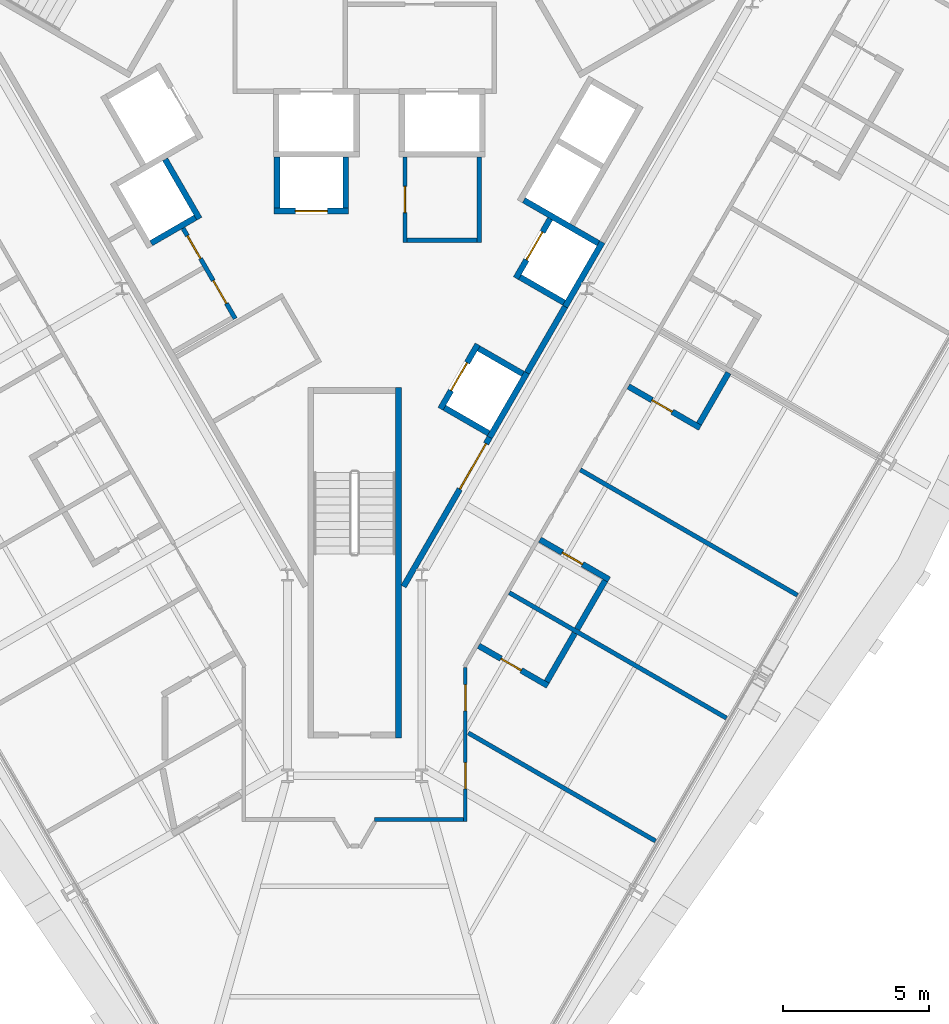
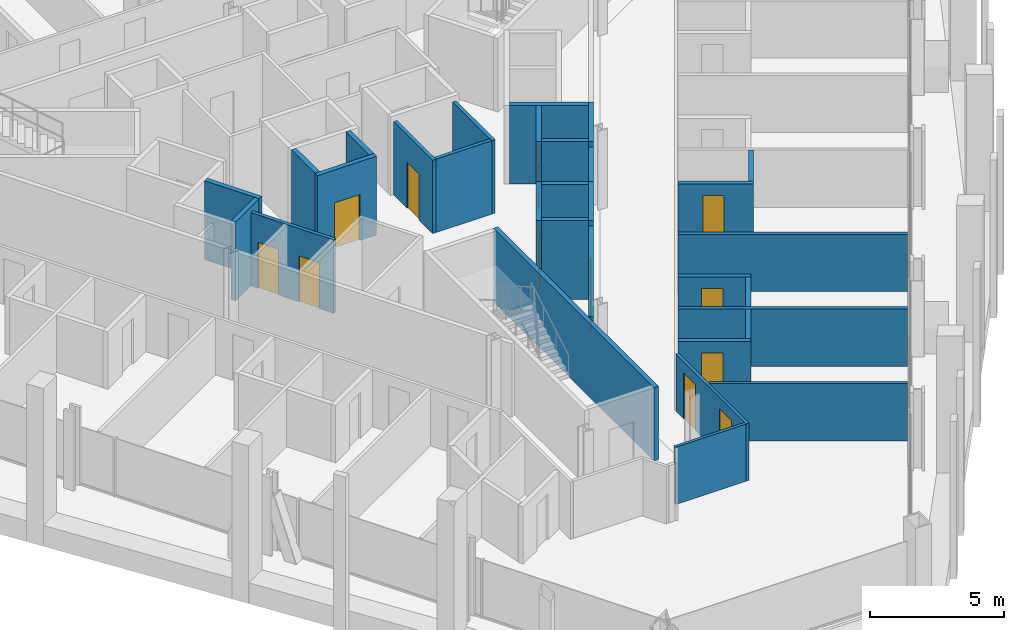
# One storey, part 12 of 19: 31 walls, 12 doors, 12 openings.
"""IFC4 building model written with IfcOpenShell, lengths in metres."""

from ifc_helpers import new_model, si_unit, direction, frame, frame_2d, origin, place, context, subcontext, project, spatial, rectangle, extrude, material, layer, layer_set, type_object, element, fill, save


model = new_model("IFC4")

# Units and contexts
model_context = context("Model", 3, precision=1e-05, world=origin(), true_north=direction((0.0, 1.0)))
body_context = subcontext(model_context, "Body", "Model", "MODEL_VIEW")
ifc_project = project(units=[si_unit("LENGTHUNIT", "METRE"), si_unit("AREAUNIT", "SQUARE_METRE"), si_unit("VOLUMEUNIT", "CUBIC_METRE"), si_unit("PLANEANGLEUNIT", "RADIAN"), si_unit("MASSUNIT", "GRAM", prefix="KILO")], contexts=[model_context])

# Site, building, storey
site_placement = place(None, origin())
site = spatial("IfcSite", under=ifc_project, at=site_placement, CompositionType="ELEMENT")
building_placement = place(site_placement, origin())
building = spatial("IfcBuilding", under=site, at=building_placement, Name="Verrane Prism Tower", CompositionType="ELEMENT")
storey_placement = place(building_placement, frame((0.0, 0.0, 58.39990234375)))
storey = spatial("IfcBuildingStorey", under=building, at=storey_placement, Name="L12", CompositionType="ELEMENT", Elevation=58.39990234375)

# Wall, opening, door
ifc_material_1 = material(Name="Gypsum board partition", Category="other")
ifc_layer_1 = layer(ifc_material_1, 0.199951171875)
ifc_layer_set_1 = layer_set([ifc_layer_1], Name="CW-200 core boundary wall 2 h")
wall_type_1 = type_object("IfcWallType", Name="CW-200 core boundary wall 2 h", PredefinedType="PARTITIONING", material=ifc_layer_set_1)
wall_1_placement = place(storey_placement, frame((1.677490234375, -14.814697265625, 0.0), z_axis=(0.0, 0.0, 1.0), x_axis=(0.49999445743, 0.866028603765, 0.0)))
wall_1 = element("IfcWall", 1, at=wall_1_placement, inside=storey, type_object=wall_type_1, Name="Core boundary wall CW3-003", PredefinedType="PARTITIONING", context=body_context, shape_type="SweptSolid", body=[
    extrude(rectangle(XDim=5.90478515625, YDim=0.199951171875, at=frame_2d((2.952392578125, 0.0))), origin(), (0.0, 0.0, 1.0), 3.35009765625),
])
opening_1_placement = place(wall_1_placement, frame((3.85498046875, 0.0, 0.0)))
opening_1 = element("IfcOpeningElement", 2, at=opening_1_placement, cuts=wall_1, Name="Opening D12517", PredefinedType="OPENING", context=body_context, shape_type="SweptSolid", body=[
    extrude(rectangle(XDim=1.800048828125, YDim=2.10009765625, at=frame_2d((0.89990234375, 1.050048828125))), frame((0.0, 0.10986328125, 0.0), z_axis=(0.0, -1.0, 0.0), x_axis=(1.0, 0.0, 0.0)), (0.0, 0.0, 1.0), 0.219970703125),
])
ifc_material_2 = material(Name="Timber veneered door leaf", Category="wood")
door_type_1 = type_object("IfcDoorType", Name="DR-1800x2100 FD60 double leaf lift lobby", OperationType="NOTDEFINED", PredefinedType="DOOR", material=ifc_material_2)
door_1_placement = place(opening_1_placement, origin())
door_1 = element("IfcDoor", 3, at=door_1_placement, inside=storey, type_object=door_type_1, Name="Lift lobby door D12517", OperationType="DOUBLE_DOOR_SINGLE_SWING", OverallHeight=2.10009765625, OverallWidth=1.800048828125, PredefinedType="DOOR", context=body_context, shape_type="SweptSolid", body=[
    extrude(rectangle(XDim=1.800048828125, YDim=2.10009765625, at=frame_2d((0.89990234375, 1.050048828125))), frame((0.0, 0.02490234375, 0.0), z_axis=(0.0, -1.0, 0.0), x_axis=(1.0, 0.0, 0.0)), (0.0, 0.0, 1.0), 0.050048828125),
])
fill(opening_1, door_1)

# Walls
wall_2_placement = place(storey_placement, frame((5.906005859375, -7.489990234375, 0.0), z_axis=(0.0, 0.0, 1.0), x_axis=(0.500252727967, 0.865879442048, 0.0)))
element("IfcWall", 4, at=wall_2_placement, inside=storey, type_object=wall_type_1, Name="Core boundary wall CW3-005", PredefinedType="PARTITIONING", context=body_context, shape_type="SweptSolid", body=[
    extrude(rectangle(XDim=2.616943359375, YDim=0.199951171875, at=frame_2d((1.30859375, 0.0))), origin(), (0.0, 0.0, 1.0), 3.35009765625),
])
ifc_material_3 = material(Name="Concrete C40/50", Category="concrete")
ifc_layer_2 = layer(ifc_material_3, 0.199951171875)
ifc_layer_set_2 = layer_set([ifc_layer_2], Name="CW-200 stair core wall concrete C40/50 3 h")
wall_type_2 = type_object("IfcWallType", Name="CW-200 stair core wall concrete C40/50 3 h", PredefinedType="PARTITIONING", material=ifc_layer_set_2)
wall_3_placement = place(storey_placement, frame((1.5, -8.0, 0.0), z_axis=(0.0, 0.0, 1.0), x_axis=(0.0, -1.0, 0.0)))
element("IfcWall", 5, at=wall_3_placement, inside=storey, type_object=wall_type_2, Name="Stair 3 enclosure wall", PredefinedType="PARTITIONING", context=body_context, shape_type="SweptSolid", body=[
    extrude(rectangle(XDim=12.0, YDim=0.199951171875, at=frame_2d((6.0, 0.0))), origin(), (0.0, 0.0, 1.0), 3.35009765625),
])

# Wall, opening, door
ifc_material_4 = material(Name="Gypsum board shaft wall assembly", Category="other")
ifc_layer_3 = layer(ifc_material_4, 0.199951171875)
ifc_layer_set_3 = layer_set([ifc_layer_3], Name="HW-200 lift shaft wall 2 h")
wall_type_3 = type_object("IfcWallType", Name="HW-200 lift shaft wall 2 h", PredefinedType="PARTITIONING", material=ifc_layer_set_3)
wall_4_placement = place(storey_placement, frame((-2.7548828125, -1.949951171875, 0.0), z_axis=(0.0, 0.0, 1.0), x_axis=(1.0, 0.0, 0.0)))
wall_4 = element("IfcWall", 6, at=wall_4_placement, inside=storey, type_object=wall_type_3, Name="Lift shaft wall", PredefinedType="PARTITIONING", context=body_context, shape_type="SweptSolid", body=[
    extrude(rectangle(XDim=2.5498046875, YDim=0.199951171875, at=frame_2d((1.27490234375, 0.0))), origin(), (0.0, 0.0, 1.0), 3.60009765625),
])
opening_2_placement = place(wall_4_placement, frame((0.72509765625, 0.0, 0.0)))
opening_2 = element("IfcOpeningElement", 7, at=opening_2_placement, cuts=wall_4, Name="Opening D12504", PredefinedType="OPENING", context=body_context, shape_type="SweptSolid", body=[
    extrude(rectangle(XDim=1.10009765625, YDim=2.10009765625, at=frame_2d((0.550048828125, 1.050048828125))), frame((0.0, 0.10986328125, 0.0), z_axis=(0.0, -1.0, 0.0), x_axis=(1.0, 0.0, 0.0)), (0.0, 0.0, 1.0), 0.219970703125),
])
ifc_material_5 = material(Name="Stainless steel sliding landing door", Category="steel")
door_type_2 = type_object("IfcDoorType", Name="LD-1100x2100 lift landing door FD90 sliding", OperationType="NOTDEFINED", PredefinedType="DOOR", material=ifc_material_5)
door_2_placement = place(opening_2_placement, origin())
door_2 = element("IfcDoor", 8, at=door_2_placement, inside=storey, type_object=door_type_2, Name="Bank A lift 2 landing door", OperationType="SLIDING_TO_RIGHT", OverallHeight=2.10009765625, OverallWidth=1.10009765625, PredefinedType="DOOR", context=body_context, shape_type="SweptSolid", body=[
    extrude(rectangle(XDim=1.10009765625, YDim=2.10009765625, at=frame_2d((0.550048828125, 1.050048828125))), frame((0.0, 0.02490234375, 0.0), z_axis=(0.0, -1.0, 0.0), x_axis=(1.0, 0.0, 0.0)), (0.0, 0.0, 1.0), 0.050048828125),
])
fill(opening_2, door_2)

# Walls
wall_5_placement = place(storey_placement, frame((-6.9697265625, -3.048095703125, 0.0), z_axis=(0.0, 0.0, 1.0), x_axis=(0.866036909293, 0.499980071345, 0.0)))
element("IfcWall", 9, at=wall_5_placement, inside=storey, type_object=wall_type_3, Name="Lift shaft wall", PredefinedType="PARTITIONING", context=body_context, shape_type="SweptSolid", body=[
    extrude(rectangle(XDim=1.75, YDim=0.199951171875, at=frame_2d((0.875, 0.0))), origin(), (0.0, 0.0, 1.0), 3.60009765625),
])
wall_6_placement = place(storey_placement, frame((4.63037109375, -9.69970703125, 0.0), z_axis=(0.0, 0.0, 1.0), x_axis=(0.500062241894, 0.865989465428, 0.0)))
element("IfcWall", 10, at=wall_6_placement, inside=storey, type_object=wall_type_3, Name="Lift shaft wall", PredefinedType="PARTITIONING", context=body_context, shape_type="SweptSolid", body=[
    extrude(rectangle(XDim=2.550048828125, YDim=0.199951171875, at=frame_2d((1.27490234375, 0.0))), origin(), (0.0, 0.0, 1.0), 3.60009765625),
])
wall_7_placement = place(storey_placement, frame((7.215576171875, -5.222412109375, 0.0), z_axis=(0.0, 0.0, 1.0), x_axis=(0.499990435942, 0.866030925526, 0.0)))
element("IfcWall", 11, at=wall_7_placement, inside=storey, type_object=wall_type_3, Name="Lift shaft wall", PredefinedType="PARTITIONING", context=body_context, shape_type="SweptSolid", body=[
    extrude(rectangle(XDim=2.5498046875, YDim=0.199951171875, at=frame_2d((1.27490234375, 0.0))), origin(), (0.0, 0.0, 1.0), 3.60009765625),
])

# Wall, opening, door
wall_8_placement = place(storey_placement, frame((2.941650390625, -8.724853515625, 0.0), z_axis=(0.0, 0.0, 1.0), x_axis=(0.500020783669, 0.866013403995, 0.0)))
wall_8 = element("IfcWall", 12, at=wall_8_placement, inside=storey, type_object=wall_type_3, Name="Lift shaft wall", PredefinedType="PARTITIONING", context=body_context, shape_type="SweptSolid", body=[
    extrude(rectangle(XDim=2.55029296875, YDim=0.199951171875, at=frame_2d((1.275146484375, 0.0))), origin(), (0.0, 0.0, 1.0), 3.60009765625),
])
opening_3_placement = place(wall_8_placement, frame((0.72509765625, 0.0, 0.0)))
opening_3 = element("IfcOpeningElement", 13, at=opening_3_placement, cuts=wall_8, Name="Opening D12506", PredefinedType="OPENING", context=body_context, shape_type="SweptSolid", body=[
    extrude(rectangle(XDim=1.10009765625, YDim=2.10009765625, at=frame_2d((0.550048828125, 1.050048828125))), frame((0.0, 0.10986328125, 0.0), z_axis=(0.0, -1.0, 0.0), x_axis=(1.0, 0.0, 0.0)), (0.0, 0.0, 1.0), 0.219970703125),
])
door_3_placement = place(opening_3_placement, origin())
door_3 = element("IfcDoor", 14, at=door_3_placement, inside=storey, type_object=door_type_2, Name="Bank A lift 4 landing door", OperationType="SLIDING_TO_RIGHT", OverallHeight=2.10009765625, OverallWidth=1.10009765625, PredefinedType="DOOR", context=body_context, shape_type="SweptSolid", body=[
    extrude(rectangle(XDim=1.10009765625, YDim=2.10009765625, at=frame_2d((0.550048828125, 1.050048828125))), frame((0.0, 0.02490234375, 0.0), z_axis=(0.0, -1.0, 0.0), x_axis=(1.0, 0.0, 0.0)), (0.0, 0.0, 1.0), 0.050048828125),
])
fill(opening_3, door_3)

wall_9_placement = place(storey_placement, frame((5.52685546875, -4.247314453125, 0.0), z_axis=(0.0, 0.0, 1.0), x_axis=(0.499938297808, 0.866061024631, 0.0)))
wall_9 = element("IfcWall", 15, at=wall_9_placement, inside=storey, type_object=wall_type_3, Name="Lift shaft wall", PredefinedType="PARTITIONING", context=body_context, shape_type="SweptSolid", body=[
    extrude(rectangle(XDim=2.349853515625, YDim=0.199951171875, at=frame_2d((1.1748046875, 0.0))), origin(), (0.0, 0.0, 1.0), 3.60009765625),
])
opening_4_placement = place(wall_9_placement, frame((0.72509765625, 0.0, 0.0)))
opening_4 = element("IfcOpeningElement", 16, at=opening_4_placement, cuts=wall_9, Name="Opening D12507", PredefinedType="OPENING", context=body_context, shape_type="SweptSolid", body=[
    extrude(rectangle(XDim=1.10009765625, YDim=2.10009765625, at=frame_2d((0.550048828125, 1.050048828125))), frame((0.0, 0.10986328125, 0.0), z_axis=(0.0, -1.0, 0.0), x_axis=(1.0, 0.0, 0.0)), (0.0, 0.0, 1.0), 0.219970703125),
])
door_4_placement = place(opening_4_placement, origin())
door_4 = element("IfcDoor", 17, at=door_4_placement, inside=storey, type_object=door_type_2, Name="Bank A lift 5 landing door", OperationType="SLIDING_TO_LEFT", OverallHeight=2.10009765625, OverallWidth=1.10009765625, PredefinedType="DOOR", context=body_context, shape_type="SweptSolid", body=[
    extrude(rectangle(XDim=1.10009765625, YDim=2.10009765625, at=frame_2d((0.550048828125, 1.050048828125))), frame((0.0, 0.02490234375, 0.0), z_axis=(0.0, -1.0, 0.0), x_axis=(1.0, 0.0, 0.0)), (0.0, 0.0, 1.0), 0.050048828125),
])
fill(opening_4, door_4)

# Walls
for number, where, z_axis, x_axis, name in (
    (18, (-0.304931640625, -1.85009765625, 0.0), (0.0, 0.0, 1.0), (0.0, 1.0, 0.0), "Lift shaft wall"),
    (19, (-2.655029296875, -1.85009765625, 0.0), (0.0, 0.0, 1.0), (0.0, 1.0, 0.0), "Lift shaft wall"),
):
    element("IfcWall", number, at=place(storey_placement, frame(where, z_axis=z_axis, x_axis=x_axis)), inside=storey, type_object=wall_type_3, Name=name, PredefinedType="PARTITIONING", context=body_context, shape_type="SweptSolid", body=[
        extrude(rectangle(XDim=1.75, YDim=0.199951171875, at=frame_2d((0.875, 0.0))), origin(), (0.0, 0.0, 1.0), 3.60009765625),
    ])
wall_10_placement = place(storey_placement, frame((-5.317626953125, -2.209716796875, 0.0), z_axis=(0.0, 0.0, 1.0), x_axis=(-0.499938297808, 0.866061024631, 0.0)))
element("IfcWall", 20, at=wall_10_placement, inside=storey, type_object=wall_type_3, Name="Lift shaft wall", PredefinedType="PARTITIONING", context=body_context, shape_type="SweptSolid", body=[
    extrude(rectangle(XDim=2.349853515625, YDim=0.199951171875, at=frame_2d((1.1748046875, 0.0))), origin(), (0.0, 0.0, 1.0), 3.60009765625),
])
wall_11_placement = place(storey_placement, frame((8.35400390625, -3.050537109375, 0.0), z_axis=(0.0, 0.0, 1.0), x_axis=(-0.866060182126, 0.499939757307, 0.0)))
element("IfcWall", 21, at=wall_11_placement, inside=storey, type_object=wall_type_3, Name="Lift shaft wall", PredefinedType="PARTITIONING", context=body_context, shape_type="SweptSolid", body=[
    extrude(rectangle(XDim=2.949951171875, YDim=0.199951171875, at=frame_2d((1.47509765625, 0.0))), origin(), (0.0, 0.0, 1.0), 3.60009765625),
])
wall_12_placement = place(storey_placement, frame((7.178955078125, -5.085693359375, 0.0), z_axis=(0.0, 0.0, 1.0), x_axis=(-0.866036909293, 0.499980071345, 0.0)))
element("IfcWall", 22, at=wall_12_placement, inside=storey, type_object=wall_type_3, Name="Lift shaft wall", PredefinedType="PARTITIONING", context=body_context, shape_type="SweptSolid", body=[
    extrude(rectangle(XDim=1.75, YDim=0.199951171875, at=frame_2d((0.875, 0.0))), origin(), (0.0, 0.0, 1.0), 3.60009765625),
])
wall_13_placement = place(storey_placement, frame((5.768798828125, -7.528076171875, 0.0), z_axis=(0.0, 0.0, 1.0), x_axis=(-0.866002029911, 0.500040482552, 0.0)))
element("IfcWall", 23, at=wall_13_placement, inside=storey, type_object=wall_type_3, Name="Lift shaft wall", PredefinedType="PARTITIONING", context=body_context, shape_type="SweptSolid", body=[
    extrude(rectangle(XDim=1.749755859375, YDim=0.199951171875, at=frame_2d((0.875, 0.0))), origin(), (0.0, 0.0, 1.0), 3.60009765625),
])
wall_14_placement = place(storey_placement, frame((4.593994140625, -9.563232421875, 0.0), z_axis=(0.0, 0.0, 1.0), x_axis=(-0.866036909293, 0.499980071345, 0.0)))
element("IfcWall", 24, at=wall_14_placement, inside=storey, type_object=wall_type_3, Name="Lift shaft wall", PredefinedType="PARTITIONING", context=body_context, shape_type="SweptSolid", body=[
    extrude(rectangle(XDim=1.75, YDim=0.199951171875, at=frame_2d((0.875, 0.0))), origin(), (0.0, 0.0, 1.0), 3.60009765625),
])
ifc_material_6 = material(Name="Gypsum board partition", Category="other")
ifc_layer_4 = layer(ifc_material_6, 0.125)
ifc_layer_set_4 = layer_set([ifc_layer_4], Name="PW-125 corridor wall 1 h")
wall_type_4 = type_object("IfcWallType", Name="PW-125 corridor wall 1 h", PredefinedType="PARTITIONING", material=ifc_layer_set_4)
wall_15_placement = place(storey_placement, frame((0.679443359375, -22.797119140625, 0.0), z_axis=(0.0, 0.0, 1.0), x_axis=(1.0, 0.0, 0.0)))
element("IfcWall", 25, at=wall_15_placement, inside=storey, type_object=wall_type_4, Name="Corridor wall 048", PredefinedType="PARTITIONING", context=body_context, shape_type="SweptSolid", body=[
    extrude(rectangle(XDim=3.052490234375, YDim=0.125, at=frame_2d((1.5263671875, 0.0))), origin(), (0.0, 0.0, 1.0), 2.613037109375),
])

# Wall, openings, doors
wall_16_placement = place(storey_placement, frame((3.797119140625, -17.590087890625, 0.0), z_axis=(0.0, 0.0, 1.0), x_axis=(0.0, -1.0, 0.0)))
wall_16 = element("IfcWall", 26, at=wall_16_placement, inside=storey, type_object=wall_type_4, Name="Corridor wall 052", PredefinedType="PARTITIONING", context=body_context, shape_type="SweptSolid", body=[
    extrude(rectangle(XDim=5.26953125, YDim=0.125, at=frame_2d((2.634765625, 0.0))), origin(), (0.0, 0.0, 1.0), 2.613037109375),
])
opening_5_placement = place(wall_16_placement, frame((3.257080078125, 0.0, 0.0)))
opening_5 = element("IfcOpeningElement", 27, at=opening_5_placement, cuts=wall_16, Name="Opening D12028", PredefinedType="OPENING", context=body_context, shape_type="SweptSolid", body=[
    extrude(rectangle(XDim=0.89990234375, YDim=2.10009765625, at=frame_2d((0.449951171875, 1.050048828125))), frame((0.0, 0.072509765625, 0.0), z_axis=(0.0, -1.0, 0.0), x_axis=(1.0, 0.0, 0.0)), (0.0, 0.0, 1.0), 0.14501953125),
])
opening_6_placement = place(wall_16_placement, frame((0.5830078125, 0.0, 0.0)))
opening_6 = element("IfcOpeningElement", 28, at=opening_6_placement, cuts=wall_16, Name="Opening D12030", PredefinedType="OPENING", context=body_context, shape_type="SweptSolid", body=[
    extrude(rectangle(XDim=0.89990234375, YDim=2.10009765625, at=frame_2d((0.449951171875, 1.050048828125))), frame((0.0, 0.072509765625, 0.0), z_axis=(0.0, -1.0, 0.0), x_axis=(1.0, 0.0, 0.0)), (0.0, 0.0, 1.0), 0.14501953125),
])
ifc_material_7 = material(Name="Timber veneered door leaf", Category="wood")
door_type_3 = type_object("IfcDoorType", Name="DR-900x2100 FD20 single leaf unit", OperationType="NOTDEFINED", PredefinedType="DOOR", material=ifc_material_7)
door_5_placement = place(opening_5_placement, origin())
door_5 = element("IfcDoor", 29, at=door_5_placement, inside=storey, type_object=door_type_3, Name="Corner Suite door", OperationType="SINGLE_SWING_LEFT", OverallHeight=2.10009765625, OverallWidth=0.89990234375, PredefinedType="DOOR", context=body_context, shape_type="SweptSolid", body=[
    extrude(rectangle(XDim=0.89990234375, YDim=2.10009765625, at=frame_2d((0.449951171875, 1.050048828125))), frame((0.0, 0.02490234375, 0.0), z_axis=(0.0, -1.0, 0.0), x_axis=(1.0, 0.0, 0.0)), (0.0, 0.0, 1.0), 0.050048828125),
])
fill(opening_5, door_5)
door_6_placement = place(opening_6_placement, origin())
door_6 = element("IfcDoor", 30, at=door_6_placement, inside=storey, type_object=door_type_3, Name="Guest Room door", OperationType="SINGLE_SWING_LEFT", OverallHeight=2.10009765625, OverallWidth=0.89990234375, PredefinedType="DOOR", context=body_context, shape_type="SweptSolid", body=[
    extrude(rectangle(XDim=0.89990234375, YDim=2.10009765625, at=frame_2d((0.449951171875, 1.050048828125))), frame((0.0, 0.02490234375, 0.0), z_axis=(0.0, -1.0, 0.0), x_axis=(1.0, 0.0, 0.0)), (0.0, 0.0, 1.0), 0.050048828125),
])
fill(opening_6, door_6)

# Walls
ifc_material_8 = material(Name="Gypsum board partition", Category="other")
ifc_layer_5 = layer(ifc_material_8, 0.14990234375)
ifc_layer_set_5 = layer_set([ifc_layer_5], Name="PW-150 demising wall 1 h")
wall_type_5 = type_object("IfcWallType", Name="PW-150 demising wall 1 h", PredefinedType="PARTITIONING", material=ifc_layer_set_5)
wall_17_placement = place(storey_placement, frame((3.89697265625, -19.830810546875, 0.0), z_axis=(0.0, 0.0, 1.0), x_axis=(0.866035143087, -0.499983130654, 0.0)))
element("IfcWall", 31, at=wall_17_placement, inside=storey, type_object=wall_type_5, Name="Demising wall 053", PredefinedType="PARTITIONING", context=body_context, shape_type="SweptSolid", body=[
    extrude(rectangle(XDim=7.404541015625, YDim=0.14990234375, at=frame_2d((3.7021484375, 0.0))), origin(), (0.0, 0.0, 1.0), 2.613037109375),
])
wall_18_placement = place(storey_placement, frame((5.301025390625, -15.025146484375, 0.0), z_axis=(0.0, 0.0, 1.0), x_axis=(0.866029425019, -0.499993034952, 0.0)))
element("IfcWall", 32, at=wall_18_placement, inside=storey, type_object=wall_type_5, Name="Demising wall 056", PredefinedType="PARTITIONING", context=body_context, shape_type="SweptSolid", body=[
    extrude(rectangle(XDim=8.59130859375, YDim=0.14990234375, at=frame_2d((4.295654296875, 0.0))), origin(), (0.0, 0.0, 1.0), 2.613037109375),
])
wall_19_placement = place(storey_placement, frame((7.733154296875, -10.813232421875, 0.0), z_axis=(0.0, 0.0, 1.0), x_axis=(0.866002910178, -0.500038958046, 0.0)))
element("IfcWall", 33, at=wall_19_placement, inside=storey, type_object=wall_type_5, Name="Demising wall 061", PredefinedType="PARTITIONING", context=body_context, shape_type="SweptSolid", body=[
    extrude(rectangle(XDim=8.591064453125, YDim=0.14990234375, at=frame_2d((4.29541015625, 0.0))), origin(), (0.0, 0.0, 1.0), 2.613037109375),
])

# Wall, opening, door
ifc_material_9 = material(Name="Gypsum board partition", Category="other")
ifc_layer_6 = layer(ifc_material_9, 0.199951171875)
ifc_layer_set_6 = layer_set([ifc_layer_6], Name="PW-200 plumbing wall")
wall_type_6 = type_object("IfcWallType", Name="PW-200 plumbing wall", PredefinedType="PARTITIONING", material=ifc_layer_set_6)
wall_20_placement = place(storey_placement, frame((4.251220703125, -16.84423828125, 0.0), z_axis=(0.0, 0.0, 1.0), x_axis=(0.866005850709, -0.50003386539, 0.0)))
wall_20 = element("IfcWall", 34, at=wall_20_placement, inside=storey, type_object=wall_type_6, Name="Plumbing wall 055", PredefinedType="PARTITIONING", context=body_context, shape_type="SweptSolid", body=[
    extrude(rectangle(XDim=2.737060546875, YDim=0.199951171875, at=frame_2d((1.36865234375, 0.0))), origin(), (0.0, 0.0, 1.0), 2.613037109375),
])
opening_7_placement = place(wall_20_placement, frame((0.887451171875, 0.0, 0.0)))
opening_7 = element("IfcOpeningElement", 35, at=opening_7_placement, cuts=wall_20, Name="Opening D12031", PredefinedType="OPENING", context=body_context, shape_type="SweptSolid", body=[
    extrude(rectangle(XDim=0.800048828125, YDim=2.10009765625, at=frame_2d((0.39990234375, 1.050048828125))), frame((0.0, 0.10986328125, 0.0), z_axis=(0.0, -1.0, 0.0), x_axis=(1.0, 0.0, 0.0)), (0.0, 0.0, 1.0), 0.219970703125),
])
ifc_material_10 = material(Name="Timber veneered door leaf", Category="wood")
door_type_4 = type_object("IfcDoorType", Name="DR-800x2100 single leaf bath", OperationType="NOTDEFINED", PredefinedType="DOOR", material=ifc_material_10)
door_7_placement = place(opening_7_placement, origin())
door_7 = element("IfcDoor", 36, at=door_7_placement, inside=storey, type_object=door_type_4, Name="En-Suite door", OperationType="SINGLE_SWING_LEFT", OverallHeight=2.10009765625, OverallWidth=0.800048828125, PredefinedType="DOOR", context=body_context, shape_type="SweptSolid", body=[
    extrude(rectangle(XDim=0.800048828125, YDim=2.10009765625, at=frame_2d((0.39990234375, 1.050048828125))), frame((0.0, 0.02490234375, 0.0), z_axis=(0.0, -1.0, 0.0), x_axis=(1.0, 0.0, 0.0)), (0.0, 0.0, 1.0), 0.050048828125),
])
fill(opening_7, door_7)

wall_21_placement = place(storey_placement, frame((8.7216796875, -14.574951171875, 0.0), z_axis=(0.0, 0.0, 1.0), x_axis=(-0.866028150195, 0.499995243048, 0.0)))
wall_21 = element("IfcWall", 37, at=wall_21_placement, inside=storey, type_object=wall_type_6, Name="Plumbing wall 058", PredefinedType="PARTITIONING", context=body_context, shape_type="SweptSolid", body=[
    extrude(rectangle(XDim=2.7373046875, YDim=0.199951171875, at=frame_2d((1.36865234375, 0.0))), origin(), (0.0, 0.0, 1.0), 2.613037109375),
])
opening_8_placement = place(wall_21_placement, frame((1.0498046875, 0.0, 0.0)))
opening_8 = element("IfcOpeningElement", 38, at=opening_8_placement, cuts=wall_21, Name="Opening D12033", PredefinedType="OPENING", context=body_context, shape_type="SweptSolid", body=[
    extrude(rectangle(XDim=0.800048828125, YDim=2.10009765625, at=frame_2d((0.39990234375, 1.050048828125))), frame((0.0, 0.10986328125, 0.0), z_axis=(0.0, -1.0, 0.0), x_axis=(1.0, 0.0, 0.0)), (0.0, 0.0, 1.0), 0.219970703125),
])
door_8_placement = place(opening_8_placement, origin())
door_8 = element("IfcDoor", 39, at=door_8_placement, inside=storey, type_object=door_type_4, Name="En-Suite door", OperationType="SINGLE_SWING_RIGHT", OverallHeight=2.10009765625, OverallWidth=0.800048828125, PredefinedType="DOOR", context=body_context, shape_type="SweptSolid", body=[
    extrude(rectangle(XDim=0.800048828125, YDim=2.10009765625, at=frame_2d((0.39990234375, 1.050048828125))), frame((0.0, 0.02490234375, 0.0), z_axis=(0.0, -1.0, 0.0), x_axis=(1.0, 0.0, 0.0)), (0.0, 0.0, 1.0), 0.050048828125),
])
fill(opening_8, door_8)

# Walls
wall_22_placement = place(storey_placement, frame((6.5849609375, -18.076416015625, 0.0), z_axis=(0.0, 0.0, 1.0), x_axis=(0.499993829411, 0.866028966346, 0.0)))
element("IfcWall", 40, at=wall_22_placement, inside=storey, type_object=wall_type_6, Name="Plumbing wall 059", PredefinedType="PARTITIONING", context=body_context, shape_type="SweptSolid", body=[
    extrude(rectangle(XDim=1.9208984375, YDim=0.199951171875, at=frame_2d((0.96044921875, 0.0))), origin(), (0.0, 0.0, 1.0), 2.613037109375),
])
wall_23_placement = place(storey_placement, frame((7.62548828125, -16.27490234375, 0.0), z_axis=(0.0, 0.0, 1.0), x_axis=(0.499667418833, 0.866217334482, 0.0)))
element("IfcWall", 41, at=wall_23_placement, inside=storey, type_object=wall_type_6, Name="Plumbing wall 060", PredefinedType="PARTITIONING", context=body_context, shape_type="SweptSolid", body=[
    extrude(rectangle(XDim=1.920166015625, YDim=0.199951171875, at=frame_2d((0.9599609375, 0.0))), origin(), (0.0, 0.0, 1.0), 2.613037109375),
])

# Wall, opening, door
wall_24_placement = place(storey_placement, frame((9.382080078125, -7.957275390625, 0.0), z_axis=(0.0, 0.0, 1.0), x_axis=(0.866048046904, -0.499960778915, 0.0)))
wall_24 = element("IfcWall", 42, at=wall_24_placement, inside=storey, type_object=wall_type_6, Name="Plumbing wall 064", PredefinedType="PARTITIONING", context=body_context, shape_type="SweptSolid", body=[
    extrude(rectangle(XDim=2.837646484375, YDim=0.199951171875, at=frame_2d((1.4189453125, 0.0))), origin(), (0.0, 0.0, 1.0), 2.613037109375),
])
opening_9_placement = place(wall_24_placement, frame((0.9375, 0.0, 0.0)))
opening_9 = element("IfcOpeningElement", 43, at=opening_9_placement, cuts=wall_24, Name="Opening D12035", PredefinedType="OPENING", context=body_context, shape_type="SweptSolid", body=[
    extrude(rectangle(XDim=0.800048828125, YDim=2.10009765625, at=frame_2d((0.39990234375, 1.050048828125))), frame((0.0, 0.10986328125, 0.0), z_axis=(0.0, -1.0, 0.0), x_axis=(1.0, 0.0, 0.0)), (0.0, 0.0, 1.0), 0.219970703125),
])
door_9_placement = place(opening_9_placement, origin())
door_9 = element("IfcDoor", 44, at=door_9_placement, inside=storey, type_object=door_type_4, Name="En-Suite door", OperationType="SINGLE_SWING_LEFT", OverallHeight=2.10009765625, OverallWidth=0.800048828125, PredefinedType="DOOR", context=body_context, shape_type="SweptSolid", body=[
    extrude(rectangle(XDim=0.800048828125, YDim=2.10009765625, at=frame_2d((0.39990234375, 1.050048828125))), frame((0.0, 0.02490234375, 0.0), z_axis=(0.0, -1.0, 0.0), x_axis=(1.0, 0.0, 0.0)), (0.0, 0.0, 1.0), 0.050048828125),
])
fill(opening_9, door_9)

# Wall
wall_25_placement = place(storey_placement, frame((11.802978515625, -9.239501953125, 0.0), z_axis=(0.0, 0.0, 1.0), x_axis=(0.499816582577, 0.866131273989, 0.0)))
element("IfcWall", 45, at=wall_25_placement, inside=storey, type_object=wall_type_6, Name="Plumbing wall 069", PredefinedType="PARTITIONING", context=body_context, shape_type="SweptSolid", body=[
    extrude(rectangle(XDim=2.020751953125, YDim=0.199951171875, at=frame_2d((1.01025390625, 0.0))), origin(), (0.0, 0.0, 1.0), 2.613037109375),
])

# Wall, openings, doors
ifc_material_11 = material(Name="Gypsum board partition", Category="other")
ifc_layer_7 = layer(ifc_material_11, 0.14990234375)
ifc_layer_set_7 = layer_set([ifc_layer_7], Name="RS-150 riser enclosure wall 1 h")
wall_type_7 = type_object("IfcWallType", Name="RS-150 riser enclosure wall 1 h", PredefinedType="PARTITIONING", material=ifc_layer_set_7)
wall_26_placement = place(storey_placement, frame((-4.090576171875, -5.635009765625, 0.0), z_axis=(0.0, 0.0, 1.0), x_axis=(-0.499948934428, 0.866054884499, 0.0)))
wall_26 = element("IfcWall", 46, at=wall_26_placement, inside=storey, type_object=wall_type_7, Name="Riser wall RS3-005", PredefinedType="PARTITIONING", context=body_context, shape_type="SweptSolid", body=[
    extrude(rectangle(XDim=3.576904296875, YDim=0.14990234375, at=frame_2d((1.78857421875, 0.0))), origin(), (0.0, 0.0, 1.0), 3.35009765625),
])
opening_10_placement = place(wall_26_placement, frame((2.377197265625, 0.0, 0.0)))
opening_10 = element("IfcOpeningElement", 47, at=opening_10_placement, cuts=wall_26, Name="Opening D12512", PredefinedType="OPENING", context=body_context, shape_type="SweptSolid", body=[
    extrude(rectangle(XDim=0.89990234375, YDim=2.10009765625, at=frame_2d((0.449951171875, 1.050048828125))), frame((0.0, 0.0849609375, 0.0), z_axis=(0.0, -1.0, 0.0), x_axis=(1.0, 0.0, 0.0)), (0.0, 0.0, 1.0), 0.169921875),
])
opening_11_placement = place(wall_26_placement, frame((0.605224609375, 0.0, 0.0)))
opening_11 = element("IfcOpeningElement", 48, at=opening_11_placement, cuts=wall_26, Name="Opening D12513", PredefinedType="OPENING", context=body_context, shape_type="SweptSolid", body=[
    extrude(rectangle(XDim=0.89990234375, YDim=2.10009765625, at=frame_2d((0.449951171875, 1.050048828125))), frame((0.0, 0.0849609375, 0.0), z_axis=(0.0, -1.0, 0.0), x_axis=(1.0, 0.0, 0.0)), (0.0, 0.0, 1.0), 0.169921875),
])
ifc_material_12 = material(Name="Timber veneered door leaf", Category="wood")
door_type_5 = type_object("IfcDoorType", Name="DR-900x2100 FD60 single leaf riser", OperationType="NOTDEFINED", PredefinedType="DOOR", material=ifc_material_12)
door_10_placement = place(opening_10_placement, origin())
door_10 = element("IfcDoor", 49, at=door_10_placement, inside=storey, type_object=door_type_5, Name="Riser door D12512", OperationType="SINGLE_SWING_RIGHT", OverallHeight=2.10009765625, OverallWidth=0.89990234375, PredefinedType="DOOR", context=body_context, shape_type="SweptSolid", body=[
    extrude(rectangle(XDim=0.89990234375, YDim=2.10009765625, at=frame_2d((0.449951171875, 1.050048828125))), frame((0.0, 0.02490234375, 0.0), z_axis=(0.0, -1.0, 0.0), x_axis=(1.0, 0.0, 0.0)), (0.0, 0.0, 1.0), 0.050048828125),
])
fill(opening_10, door_10)
door_11_placement = place(opening_11_placement, origin())
door_11 = element("IfcDoor", 50, at=door_11_placement, inside=storey, type_object=door_type_5, Name="Riser door D12513", OperationType="SINGLE_SWING_LEFT", OverallHeight=2.10009765625, OverallWidth=0.89990234375, PredefinedType="DOOR", context=body_context, shape_type="SweptSolid", body=[
    extrude(rectangle(XDim=0.89990234375, YDim=2.10009765625, at=frame_2d((0.449951171875, 1.050048828125))), frame((0.0, 0.02490234375, 0.0), z_axis=(0.0, -1.0, 0.0), x_axis=(1.0, 0.0, 0.0)), (0.0, 0.0, 1.0), 0.050048828125),
])
fill(opening_11, door_11)

# Wall, opening, door
wall_27_placement = place(storey_placement, frame((1.72509765625, -0.10205078125, 0.0), z_axis=(0.0, 0.0, 1.0), x_axis=(0.0, -1.0, 0.0)))
wall_27 = element("IfcWall", 51, at=wall_27_placement, inside=storey, type_object=wall_type_7, Name="Riser wall RS3-008", PredefinedType="PARTITIONING", context=body_context, shape_type="SweptSolid", body=[
    extrude(rectangle(XDim=2.9228515625, YDim=0.14990234375, at=frame_2d((1.46142578125, 0.0))), origin(), (0.0, 0.0, 1.0), 3.35009765625),
])
opening_12_placement = place(wall_27_placement, frame((0.998046875, 0.0, 0.0)))
opening_12 = element("IfcOpeningElement", 52, at=opening_12_placement, cuts=wall_27, Name="Opening D12518", PredefinedType="OPENING", context=body_context, shape_type="SweptSolid", body=[
    extrude(rectangle(XDim=0.89990234375, YDim=2.10009765625, at=frame_2d((0.449951171875, 1.050048828125))), frame((0.0, 0.0849609375, 0.0), z_axis=(0.0, -1.0, 0.0), x_axis=(1.0, 0.0, 0.0)), (0.0, 0.0, 1.0), 0.169921875),
])
ifc_material_13 = material(Name="Timber veneered door leaf", Category="wood")
door_type_6 = type_object("IfcDoorType", Name="DR-900x2100 FD20 single leaf store", OperationType="NOTDEFINED", PredefinedType="DOOR", material=ifc_material_13)
door_12_placement = place(opening_12_placement, origin())
door_12 = element("IfcDoor", 53, at=door_12_placement, inside=storey, type_object=door_type_6, Name="Room door D12518", OperationType="SINGLE_SWING_LEFT", OverallHeight=2.10009765625, OverallWidth=0.89990234375, PredefinedType="DOOR", context=body_context, shape_type="SweptSolid", body=[
    extrude(rectangle(XDim=0.89990234375, YDim=2.10009765625, at=frame_2d((0.449951171875, 1.050048828125))), frame((0.0, 0.02490234375, 0.0), z_axis=(0.0, -1.0, 0.0), x_axis=(1.0, 0.0, 0.0)), (0.0, 0.0, 1.0), 0.050048828125),
])
fill(opening_12, door_12)

# Walls
wall_28_placement = place(storey_placement, frame((1.800048828125, -2.949951171875, 0.0), z_axis=(0.0, 0.0, 1.0), x_axis=(1.0, 0.0, 0.0)))
element("IfcWall", 54, at=wall_28_placement, inside=storey, type_object=wall_type_7, Name="Riser wall RS3-009", PredefinedType="PARTITIONING", context=body_context, shape_type="SweptSolid", body=[
    extrude(rectangle(XDim=2.39990234375, YDim=0.14990234375, at=frame_2d((1.199951171875, 0.0))), origin(), (0.0, 0.0, 1.0), 3.35009765625),
])
wall_29_placement = place(storey_placement, frame((4.27490234375, -3.02490234375, 0.0), z_axis=(0.0, 0.0, 1.0), x_axis=(0.0, 1.0, 0.0)))
element("IfcWall", 55, at=wall_29_placement, inside=storey, type_object=wall_type_7, Name="Riser wall RS3-010", PredefinedType="PARTITIONING", context=body_context, shape_type="SweptSolid", body=[
    extrude(rectangle(XDim=2.9228515625, YDim=0.14990234375, at=frame_2d((1.46142578125, 0.0))), origin(), (0.0, 0.0, 1.0), 3.35009765625),
])

save(model, "model.ifc")
